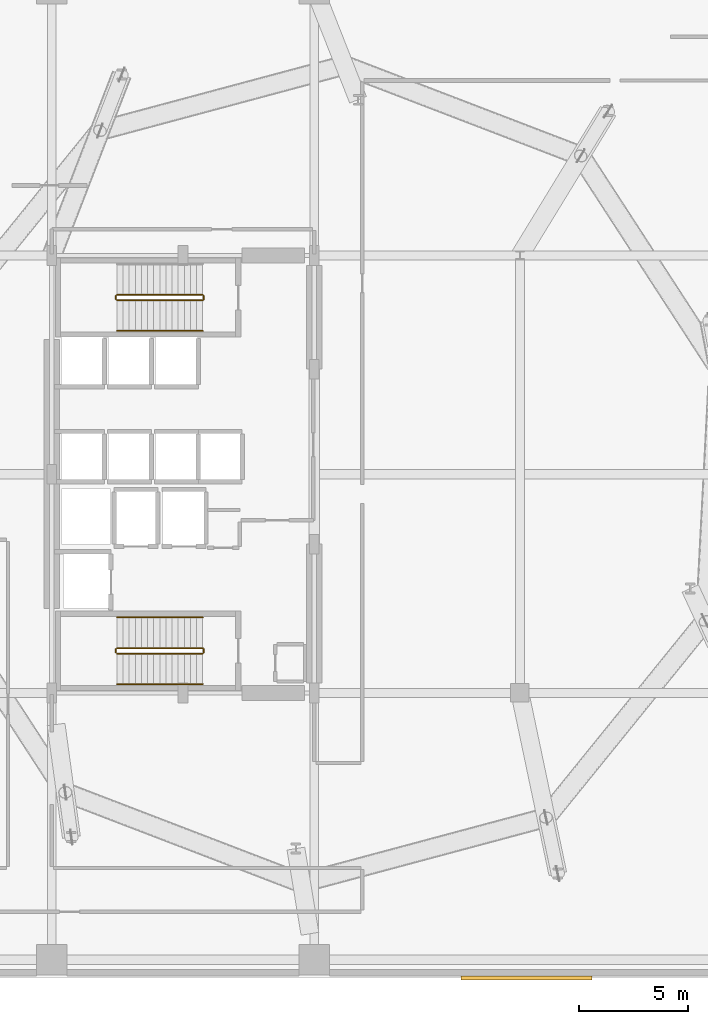
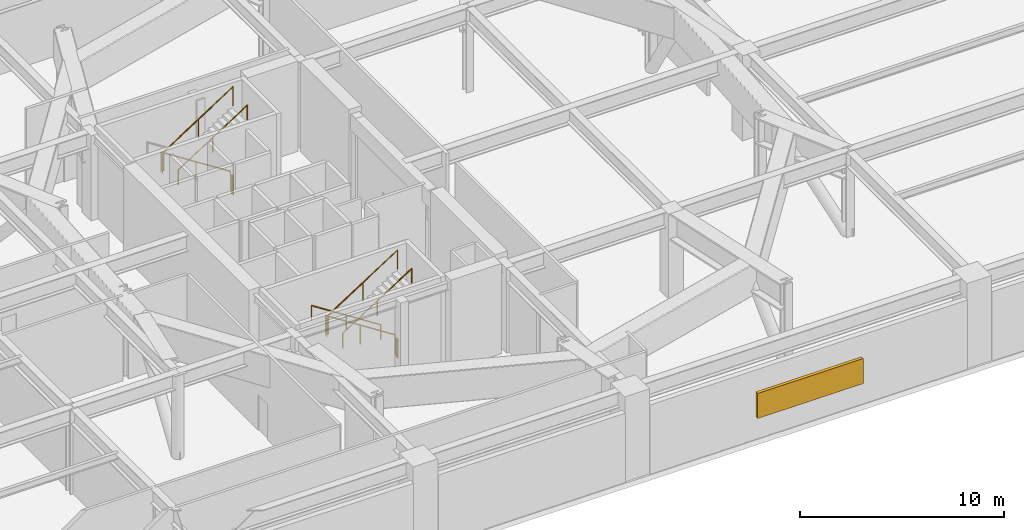
# One storey, part 11 of 12: 11 railings, 1 shading device.
"""IFC4 building model written with IfcOpenShell, lengths in metres."""

from ifc_helpers import new_model, si_unit, direction, frame, origin, origin_2d, place, context, subcontext, project, spatial, rectangle, circle, extrude, material, layer, layer_set, type_object, element, save


model = new_model("IFC4")

# Units and contexts
model_context = context("Model", 3, precision=1e-05, world=origin(), true_north=direction((0.0, 1.0)))
body_context = subcontext(model_context, "Body", "Model", "MODEL_VIEW")
ifc_project = project(units=[si_unit("LENGTHUNIT", "METRE"), si_unit("AREAUNIT", "SQUARE_METRE"), si_unit("VOLUMEUNIT", "CUBIC_METRE"), si_unit("PLANEANGLEUNIT", "RADIAN"), si_unit("MASSUNIT", "GRAM", prefix="KILO")], contexts=[model_context])

# Site, building, storey
site_placement = place(None, origin())
site = spatial("IfcSite", under=ifc_project, at=site_placement, CompositionType="ELEMENT")
building_placement = place(site_placement, origin())
building = spatial("IfcBuilding", under=site, at=building_placement, Name="Soratama Intermodal Tower", CompositionType="ELEMENT")
storey_placement = place(building_placement, frame((0.0, 0.0, 25.199951171875)))
storey = spatial("IfcBuildingStorey", under=building, at=storey_placement, Name="L05", CompositionType="ELEMENT", Elevation=25.199951171875)

# Railings
ifc_material_1 = material(Name="Painted steel stair guardrail", Category="steel")
railing_type_1 = type_object("IfcRailingType", Name="RL-STAIR-GUARD", PredefinedType="GUARDRAIL", material=ifc_material_1)
railing_1_placement = place(storey_placement, frame((39.5, 17.050048828125, 0.179931640625)))
element("IfcRailing", 1, at=railing_1_placement, inside=storey, type_object=railing_type_1, Name="L05 ST-1 stair guard 1", PredefinedType="GUARDRAIL", context=body_context, shape_type="SweptSolid", body=[
    extrude(circle(Radius=0.02392578125, at=origin_2d()), frame((0.0, 0.0, 1.1259765625), z_axis=(-0.841171666519, 0.0, 0.540768182723), x_axis=(0.0, -1.0, 0.0)), (0.0, 0.0, 1.0), 4.66015625),
    extrude(circle(Radius=0.02099609375, at=origin_2d()), origin(), (0.0, 0.0, 1.0), 1.101806640625),
    extrude(circle(Radius=0.02099609375, at=origin_2d()), frame((-1.9599609375, 0.0, 1.260009765625)), (0.0, 0.0, 1.0), 1.101806640625),
    extrude(circle(Radius=0.02099609375, at=origin_2d()), frame((-3.919921875, 0.0, 2.52001953125)), (0.0, 0.0, 1.0), 1.101806640625),
])
railing_2_placement = place(storey_placement, frame((35.530029296875, 17.0, 2.699951171875)))
element("IfcRailing", 2, at=railing_2_placement, inside=storey, type_object=railing_type_1, Name="L05 ST-1 stair guard 2", PredefinedType="GUARDRAIL", context=body_context, shape_type="SweptSolid", body=[
    extrude(circle(Radius=0.02392578125, at=origin_2d()), frame((0.0, 0.0, 1.1259765625), z_axis=(0.0, -1.0, 0.0), x_axis=(1.0, 0.0, 0.0)), (0.0, 0.0, 1.0), 0.14990234375),
    extrude(circle(Radius=0.02099609375, at=origin_2d()), origin(), (0.0, 0.0, 1.0), 1.101806640625),
    extrude(circle(Radius=0.02099609375, at=origin_2d()), frame((0.0, -0.14990234375, 0.0)), (0.0, 0.0, 1.0), 1.101806640625),
])
railing_3_placement = place(storey_placement, frame((35.580078125, 16.800048828125, 2.880126953125)))
element("IfcRailing", 3, at=railing_3_placement, inside=storey, type_object=railing_type_1, Name="L05 ST-1 stair guard 3", PredefinedType="GUARDRAIL", context=body_context, shape_type="SweptSolid", body=[
    extrude(circle(Radius=0.02392578125, at=origin_2d()), frame((0.0, 0.0, 1.1259765625), z_axis=(0.841171666519, 0.0, 0.540768182723), x_axis=(0.0, 1.0, 0.0)), (0.0, 0.0, 1.0), 4.66015625),
    extrude(circle(Radius=0.02099609375, at=origin_2d()), origin(), (0.0, 0.0, 1.0), 1.101806640625),
    extrude(circle(Radius=0.02099609375, at=origin_2d()), frame((1.9599609375, 0.0, 1.260009765625)), (0.0, 0.0, 1.0), 1.101806640625),
    extrude(circle(Radius=0.02099609375, at=origin_2d()), frame((3.919921875, 0.0, 2.52001953125)), (0.0, 0.0, 1.0), 1.101806640625),
])
railing_4_placement = place(storey_placement, frame((39.550048828125, 17.0, 0.0)))
element("IfcRailing", 4, at=railing_4_placement, inside=storey, type_object=railing_type_1, Name="L05 ST-1 stair guard 4", PredefinedType="GUARDRAIL", context=body_context, shape_type="SweptSolid", body=[
    extrude(circle(Radius=0.02392578125, at=origin_2d()), frame((0.0, 0.0, 1.1259765625), z_axis=(0.0, -1.0, 0.0), x_axis=(1.0, 0.0, 0.0)), (0.0, 0.0, 1.0), 0.14990234375),
    extrude(circle(Radius=0.02099609375, at=origin_2d()), origin(), (0.0, 0.0, 1.0), 1.101806640625),
    extrude(circle(Radius=0.02099609375, at=origin_2d()), frame((0.0, -0.14990234375, 0.0)), (0.0, 0.0, 1.0), 1.101806640625),
])
railing_5_placement = place(storey_placement, frame((39.5, 33.199951171875, 0.179931640625)))
element("IfcRailing", 5, at=railing_5_placement, inside=storey, type_object=railing_type_1, Name="L05 ST-2 stair guard 1", PredefinedType="GUARDRAIL", context=body_context, shape_type="SweptSolid", body=[
    extrude(circle(Radius=0.02392578125, at=origin_2d()), frame((0.0, 0.0, 1.1259765625), z_axis=(-0.841171666519, 0.0, 0.540768182723), x_axis=(0.0, -1.0, 0.0)), (0.0, 0.0, 1.0), 4.66015625),
    extrude(circle(Radius=0.02099609375, at=origin_2d()), origin(), (0.0, 0.0, 1.0), 1.101806640625),
    extrude(circle(Radius=0.02099609375, at=origin_2d()), frame((-1.9599609375, 0.0, 1.260009765625)), (0.0, 0.0, 1.0), 1.101806640625),
    extrude(circle(Radius=0.02099609375, at=origin_2d()), frame((-3.919921875, 0.0, 2.52001953125)), (0.0, 0.0, 1.0), 1.101806640625),
])
railing_6_placement = place(storey_placement, frame((35.530029296875, 33.14990234375, 2.699951171875)))
element("IfcRailing", 6, at=railing_6_placement, inside=storey, type_object=railing_type_1, Name="L05 ST-2 stair guard 2", PredefinedType="GUARDRAIL", context=body_context, shape_type="SweptSolid", body=[
    extrude(circle(Radius=0.02392578125, at=origin_2d()), frame((0.0, 0.0, 1.1259765625), z_axis=(0.0, -1.0, 0.0), x_axis=(1.0, 0.0, 0.0)), (0.0, 0.0, 1.0), 0.14990234375),
    extrude(circle(Radius=0.02099609375, at=origin_2d()), origin(), (0.0, 0.0, 1.0), 1.101806640625),
    extrude(circle(Radius=0.02099609375, at=origin_2d()), frame((0.0, -0.14990234375, 0.0)), (0.0, 0.0, 1.0), 1.101806640625),
])
railing_7_placement = place(storey_placement, frame((35.580078125, 32.949951171875, 2.880126953125)))
element("IfcRailing", 7, at=railing_7_placement, inside=storey, type_object=railing_type_1, Name="L05 ST-2 stair guard 3", PredefinedType="GUARDRAIL", context=body_context, shape_type="SweptSolid", body=[
    extrude(circle(Radius=0.02392578125, at=origin_2d()), frame((0.0, 0.0, 1.1259765625), z_axis=(0.841171666519, 0.0, 0.540768182723), x_axis=(0.0, 1.0, 0.0)), (0.0, 0.0, 1.0), 4.66015625),
    extrude(circle(Radius=0.02099609375, at=origin_2d()), origin(), (0.0, 0.0, 1.0), 1.101806640625),
    extrude(circle(Radius=0.02099609375, at=origin_2d()), frame((1.9599609375, 0.0, 1.260009765625)), (0.0, 0.0, 1.0), 1.101806640625),
    extrude(circle(Radius=0.02099609375, at=origin_2d()), frame((3.919921875, 0.0, 2.52001953125)), (0.0, 0.0, 1.0), 1.101806640625),
])
railing_8_placement = place(storey_placement, frame((39.550048828125, 33.14990234375, 0.0)))
element("IfcRailing", 8, at=railing_8_placement, inside=storey, type_object=railing_type_1, Name="L05 ST-2 stair guard 4", PredefinedType="GUARDRAIL", context=body_context, shape_type="SweptSolid", body=[
    extrude(circle(Radius=0.02392578125, at=origin_2d()), frame((0.0, 0.0, 1.1259765625), z_axis=(0.0, -1.0, 0.0), x_axis=(1.0, 0.0, 0.0)), (0.0, 0.0, 1.0), 0.14990234375),
    extrude(circle(Radius=0.02099609375, at=origin_2d()), origin(), (0.0, 0.0, 1.0), 1.101806640625),
    extrude(circle(Radius=0.02099609375, at=origin_2d()), frame((0.0, -0.14990234375, 0.0)), (0.0, 0.0, 1.0), 1.101806640625),
])
ifc_material_2 = material(Name="Brushed stainless steel handrail", Category="steel")
railing_type_2 = type_object("IfcRailingType", Name="RL-STAIR-HAND", PredefinedType="HANDRAIL", material=ifc_material_2)
railing_9_placement = place(storey_placement, frame((39.5, 18.449951171875, 0.179931640625)))
element("IfcRailing", 9, at=railing_9_placement, inside=storey, type_object=railing_type_2, Name="L05 ST-1 stair handrail 1", PredefinedType="HANDRAIL", context=body_context, shape_type="SweptSolid", body=[
    extrude(circle(Radius=0.02392578125, at=origin_2d()), frame((0.0, 0.0, 0.8759765625), z_axis=(-0.841171666519, 0.0, 0.540768182723), x_axis=(0.0, -1.0, 0.0)), (0.0, 0.0, 1.0), 4.66015625),
    extrude(circle(Radius=0.02099609375, at=origin_2d()), origin(), (0.0, 0.0, 1.0), 0.851806640625),
    extrude(circle(Radius=0.02099609375, at=origin_2d()), frame((-1.9599609375, 0.0, 1.260009765625)), (0.0, 0.0, 1.0), 0.851806640625),
    extrude(circle(Radius=0.02099609375, at=origin_2d()), frame((-3.919921875, 0.0, 2.52001953125)), (0.0, 0.0, 1.0), 0.851806640625),
])
for number, where, name in (
    (10, (35.580078125, 15.39990234375, 2.880126953125), "L05 ST-1 stair handrail 2"),
    (11, (35.580078125, 31.550048828125, 2.880126953125), "L05 ST-2 stair handrail 2"),
):
    element("IfcRailing", number, at=place(storey_placement, frame(where)), inside=storey, type_object=railing_type_2, Name=name, PredefinedType="HANDRAIL", context=body_context, shape_type="SweptSolid", body=[
        extrude(circle(Radius=0.02392578125, at=origin_2d()), frame((0.0, 0.0, 0.8759765625), z_axis=(0.841171666519, 0.0, 0.540768182723), x_axis=(0.0, 1.0, 0.0)), (0.0, 0.0, 1.0), 4.66015625),
        extrude(circle(Radius=0.02099609375, at=origin_2d()), origin(), (0.0, 0.0, 1.0), 0.851806640625),
        extrude(circle(Radius=0.02099609375, at=origin_2d()), frame((1.9599609375, 0.0, 1.260009765625)), (0.0, 0.0, 1.0), 0.851806640625),
        extrude(circle(Radius=0.02099609375, at=origin_2d()), frame((3.919921875, 0.0, 2.52001953125)), (0.0, 0.0, 1.0), 0.851806640625),
    ])

# Shading device
ifc_material_3 = material(Name="Anodised aluminium weather louvre", Category="aluminium")
ifc_layer = layer(ifc_material_3, 0.1201171875)
ifc_layer_set = layer_set([ifc_layer], Name="Anodised aluminium weather louvre")
shading_device_type = type_object("IfcShadingDeviceType", Name="SH-LOUVRE-PLANT", PredefinedType="JALOUSIE", material=ifc_layer_set)
shading_device_placement = place(storey_placement, frame((54.300048828125, 1.965087890625, 1.35009765625), z_axis=(0.0, 0.0, 1.0), x_axis=(1.0, 0.0, 0.0)))
element("IfcShadingDevice", 12, at=shading_device_placement, inside=storey, type_object=shading_device_type, Name="L05 Plant Louvre S4", PredefinedType="JALOUSIE", context=body_context, shape_type="SweptSolid", body=[
    extrude(rectangle(XDim=6.0, YDim=0.179931640625, at=origin_2d()), origin(), (0.0, 0.0, 1.0), 1.5),
])

save(model, "model.ifc")
